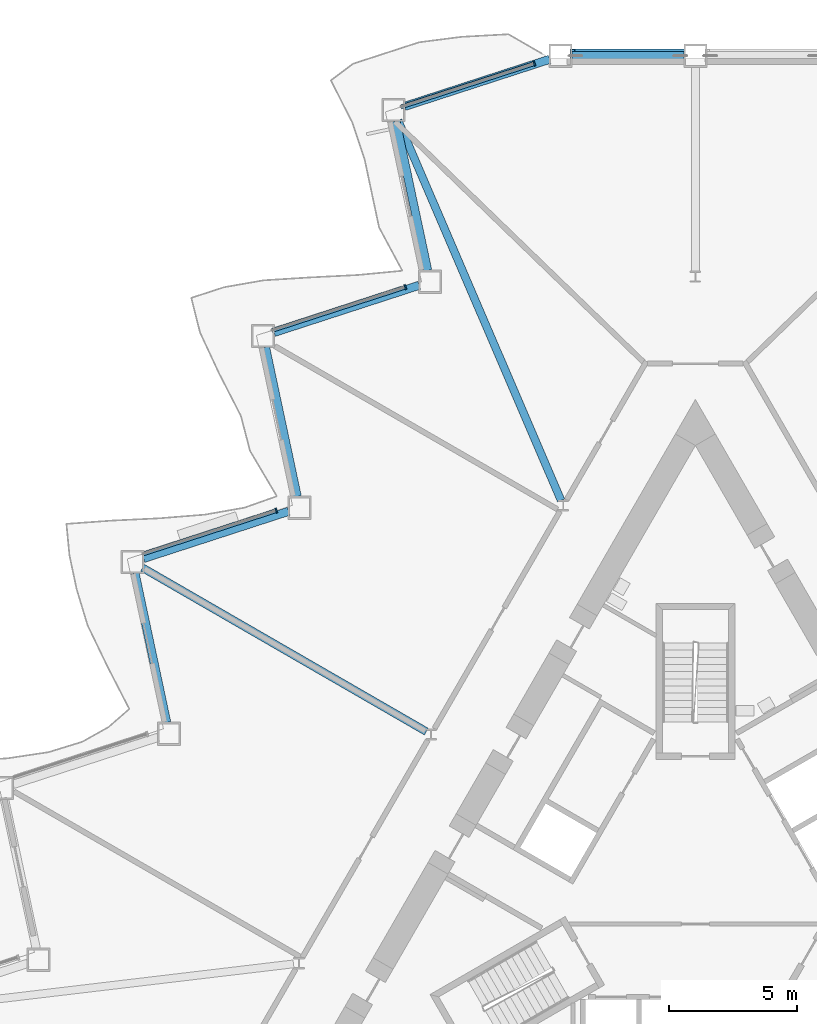
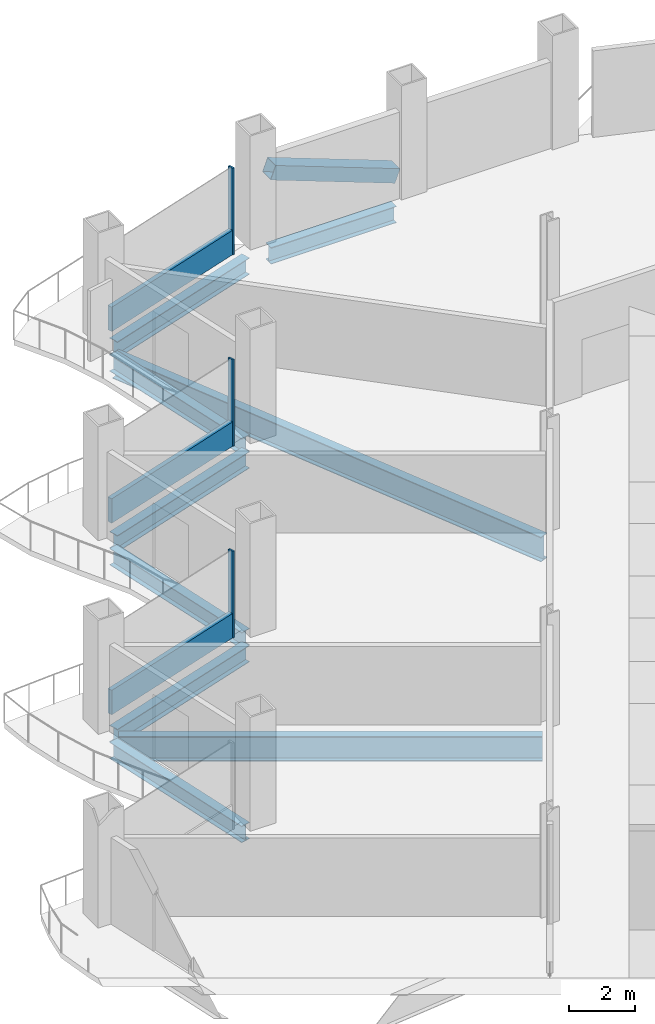
# One storey, part 7 of 21: 9 beams, 7 members, 3 elements without a shape of their own.
"""IFC4 building model written with IfcOpenShell, lengths in metres."""

from ifc_helpers import new_model, si_unit, direction, frame, origin, origin_2d, place, context, subcontext, project, spatial, rectangle, hollow_rectangle, i_section, extrude, material, layer, layer_set, material_profile, profile_set, type_object, element, aggregate, save


model = new_model("IFC4")

# Units and contexts
model_context = context("Model", 3, precision=1e-05, world=origin(), true_north=direction((0.0, 1.0)))
body_context = subcontext(model_context, "Body", "Model", "MODEL_VIEW")
ifc_project = project(units=[si_unit("LENGTHUNIT", "METRE"), si_unit("AREAUNIT", "SQUARE_METRE"), si_unit("VOLUMEUNIT", "CUBIC_METRE"), si_unit("PLANEANGLEUNIT", "RADIAN"), si_unit("MASSUNIT", "GRAM", prefix="KILO")], contexts=[model_context])

# Site, building, storey
site_placement = place(None, origin())
site = spatial("IfcSite", under=ifc_project, at=site_placement, CompositionType="ELEMENT")
building_placement = place(site_placement, origin())
building = spatial("IfcBuilding", under=site, at=building_placement, Name="Cormorant Prow Tower", CompositionType="ELEMENT")
storey_placement = place(building_placement, frame((0.0, 0.0, 129.0)))
storey = spatial("IfcBuildingStorey", under=building, at=storey_placement, Name="L27", CompositionType="ELEMENT", Elevation=129.0)

# Member
ifc_material_1 = material(Name="Structural steel ASTM A500 Gr C", Category="steel")
ifc_material_profile_1 = material_profile(ifc_material_1, hollow_rectangle(XDim=0.508056640625, YDim=0.508056640625, WallThickness=0.014892578125, at=origin_2d()), Name="HSS20x20x5/8")
ifc_profile_set_1 = profile_set([ifc_material_profile_1], Name="Structural steel ASTM A500 Gr C")
member_type_1 = type_object("IfcMemberType", Name="Chamfer brace HSS20x20x5/8", PredefinedType="BRACE", material=ifc_profile_set_1)
member_1_placement = place(storey_placement, frame((-0.4677734375, 32.487060546875, 0.776611328125), z_axis=(-0.935582009332, 0.0, 0.353109478511), x_axis=(0.0, -1.0, 0.0)))
element("IfcMember", 1, at=member_1_placement, inside=storey, type_object=member_type_1, Name="Chamfer brace BR1 at N01 L27", PredefinedType="BRACE", context=body_context, shape_type="SweptSolid", body=[
    extrude(hollow_rectangle(XDim=0.508056640625, YDim=0.508056640625, WallThickness=0.014892578125, at=origin_2d()), origin(), (0.0, 0.0, 1.0), 4.63232421875),
])

# Curtain wall, member
ifc_material_2 = material(Name="Aluminium 6063-T6", Category="aluminium")
ifc_layer = layer(ifc_material_2, 0.199951171875)
ifc_layer_set = layer_set([ifc_layer], Name="Aluminium 6063-T6")
curtain_wall_type = type_object("IfcCurtainWallType", Name="Office unitised curtain wall 200", PredefinedType="NOTDEFINED", material=ifc_layer_set)
curtain_wall_1_placement = place(storey_placement, origin())
curtain_wall_1 = element("IfcCurtainWall", 2, at=curtain_wall_1_placement, inside=storey, type_object=curtain_wall_type, Name="Office curtain wall WNW00", PredefinedType="NOTDEFINED")
ifc_material_3 = material(Name="Aluminium 6063-T6", Category="aluminium")
ifc_material_profile_2 = material_profile(ifc_material_3, rectangle(XDim=0.199951171875, YDim=0.06005859375, at=origin_2d()), Name="Office mullion 60x200")
ifc_profile_set_2 = profile_set([ifc_material_profile_2], Name="Aluminium 6063-T6")
member_type_2 = type_object("IfcMemberType", Name="Office mullion 60x200", PredefinedType="MULLION", material=ifc_profile_set_2)
member_2_placement = place(storey_placement, frame((-6.29443359375, 32.1806640625, 0.0), z_axis=(0.0, 0.0, 1.0), x_axis=(0.309016896042, -0.951056548245, 0.0)))
member_2 = element("IfcMember", 3, at=member_2_placement, type_object=member_type_2, Name="Office mullion WNW00", PredefinedType="MULLION", context=body_context, shape_type="SweptSolid", body=[
    extrude(rectangle(XDim=0.199951171875, YDim=0.06005859375, at=origin_2d()), origin(), (0.0, 0.0, 1.0), 3.18896484375),
])

curtain_wall_2_placement = place(storey_placement, origin())
curtain_wall_2 = element("IfcCurtainWall", 4, at=curtain_wall_2_placement, inside=storey, type_object=curtain_wall_type, Name="Office curtain wall WNW02", PredefinedType="NOTDEFINED")
member_3_placement = place(storey_placement, frame((-11.337890625, 23.4453125, 0.0), z_axis=(0.0, 0.0, 1.0), x_axis=(0.309016939332, -0.95105653418, 0.0)))
member_3 = element("IfcMember", 5, at=member_3_placement, type_object=member_type_2, Name="Office mullion WNW02", PredefinedType="MULLION", context=body_context, shape_type="SweptSolid", body=[
    extrude(rectangle(XDim=0.199951171875, YDim=0.06005859375, at=origin_2d()), origin(), (0.0, 0.0, 1.0), 3.18896484375),
])

curtain_wall_3_placement = place(storey_placement, origin())
curtain_wall_3 = element("IfcCurtainWall", 6, at=curtain_wall_3_placement, inside=storey, type_object=curtain_wall_type, Name="Office curtain wall WNW04", PredefinedType="NOTDEFINED")
member_4_placement = place(storey_placement, frame((-16.38134765625, 14.7099609375, 0.0), z_axis=(0.0, 0.0, 1.0), x_axis=(0.309016939332, -0.95105653418, 0.0)))
member_4 = element("IfcMember", 7, at=member_4_placement, type_object=member_type_2, Name="Office mullion WNW04", PredefinedType="MULLION", context=body_context, shape_type="SweptSolid", body=[
    extrude(rectangle(XDim=0.199951171875, YDim=0.06005859375, at=origin_2d()), origin(), (0.0, 0.0, 1.0), 3.18896484375),
])

# Member
ifc_material_4 = material(Name="Terracotta", Category="masonry")
ifc_material_profile_3 = material_profile(ifc_material_4, rectangle(XDim=0.159912109375, YDim=0.89990234375, at=origin_2d()), Name="Office terracotta spandrel rail 160x900")
ifc_profile_set_3 = profile_set([ifc_material_profile_3], Name="Terracotta")
member_type_3 = type_object("IfcMemberType", Name="Office terracotta spandrel rail 160x900", PredefinedType="USERDEFINED", material=ifc_profile_set_3)
member_5_placement = place(storey_placement, frame((-6.322998046875, 32.17138671875, 0.449951171875), z_axis=(-0.951059392051, -0.30900814357, 0.0), x_axis=(0.30900814357, -0.951059392051, 0.0)))
member_5 = element("IfcMember", 8, at=member_5_placement, type_object=member_type_3, Name="Office spandrel rail WNW00", ObjectType="TRANSOM", PredefinedType="USERDEFINED", context=body_context, shape_type="SweptSolid", body=[
    extrude(rectangle(XDim=0.159912109375, YDim=0.89990234375, at=origin_2d()), origin(), (0.0, 0.0, 1.0), 5.45458984375),
])

aggregate(curtain_wall_1, [member_2, member_5])

member_6_placement = place(storey_placement, frame((-11.366455078125, 23.43603515625, 0.449951171875), z_axis=(-0.951055118029, -0.309021297763, 0.0), x_axis=(0.309021297763, -0.951055118029, 0.0)))
member_6 = element("IfcMember", 9, at=member_6_placement, type_object=member_type_3, Name="Office spandrel rail WNW02", ObjectType="TRANSOM", PredefinedType="USERDEFINED", context=body_context, shape_type="SweptSolid", body=[
    extrude(rectangle(XDim=0.159912109375, YDim=0.89990234375, at=origin_2d()), origin(), (0.0, 0.0, 1.0), 5.45458984375),
])

aggregate(curtain_wall_2, [member_3, member_6])

member_7_placement = place(storey_placement, frame((-16.409912109375, 14.70068359375, 0.449951171875), z_axis=(-0.951055118029, -0.309021297763, 0.0), x_axis=(0.309021297763, -0.951055118029, 0.0)))
member_7 = element("IfcMember", 10, at=member_7_placement, type_object=member_type_3, Name="Office spandrel rail WNW04", ObjectType="TRANSOM", PredefinedType="USERDEFINED", context=body_context, shape_type="SweptSolid", body=[
    extrude(rectangle(XDim=0.159912109375, YDim=0.89990234375, at=origin_2d()), origin(), (0.0, 0.0, 1.0), 5.45458984375),
])

aggregate(curtain_wall_3, [member_4, member_7])

# Beams
ifc_material_5 = material(Name="Structural steel ASTM A992 Gr 50", Category="steel")
ifc_material_profile_4 = material_profile(ifc_material_5, i_section(OverallWidth=0.3046875, OverallDepth=0.914794921875, WebThickness=0.0166015625, FlangeThickness=0.02587890625, at=origin_2d()), Name="W36x160")
ifc_profile_set_4 = profile_set([ifc_material_profile_4], Name="Structural steel ASTM A992 Gr 50")
beam_type_1 = type_object("IfcBeamType", Name="Radial floor beam W36x160", PredefinedType="BEAM", material=ifc_profile_set_4)
beam_1_placement = place(storey_placement, frame((-5.25, 15.107666015625, -0.857421875), z_axis=(-0.394273140268, 0.918993302948, 0.0), x_axis=(-0.918993302948, -0.394273140268, 0.0)))
element("IfcBeam", 11, at=beam_1_placement, inside=storey, type_object=beam_type_1, Name="Radial floor beam FB1 2 L27", PredefinedType="BEAM", context=body_context, shape_type="SweptSolid", body=[
    extrude(i_section(OverallWidth=0.3046875, OverallDepth=0.914794921875, WebThickness=0.0166015625, FlangeThickness=0.02587890625, at=origin_2d()), origin(), (0.0, 0.0, 1.0), 16.153564453125),
])
beam_2_placement = place(storey_placement, frame((-10.516845703125, 6.07177734375, -0.857421875), z_axis=(-0.866021760006, 0.500006311156, 0.0), x_axis=(-0.500006311156, -0.866021760006, 0.0)))
element("IfcBeam", 12, at=beam_2_placement, inside=storey, type_object=beam_type_1, Name="Radial floor beam FB1 3 L27", PredefinedType="BEAM", context=body_context, shape_type="SweptSolid", body=[
    extrude(i_section(OverallWidth=0.3046875, OverallDepth=0.914794921875, WebThickness=0.0166015625, FlangeThickness=0.02587890625, at=origin_2d()), origin(), (0.0, 0.0, 1.0), 12.805419921875),
])
ifc_material_6 = material(Name="Structural steel ASTM A992 Gr 50", Category="steel")
ifc_material_profile_5 = material_profile(ifc_material_6, i_section(OverallWidth=0.32373046875, OverallDepth=0.611083984375, WebThickness=0.0126953125, FlangeThickness=0.01904296875, at=origin_2d()), Name="W24x104")
ifc_profile_set_5 = profile_set([ifc_material_profile_5], Name="Structural steel ASTM A992 Gr 50")
beam_type_2 = type_object("IfcBeamType", Name="Spandrel beam W24x104", PredefinedType="SPANDREL", material=ifc_profile_set_5)
beam_3_placement = place(storey_placement, frame((-0.449951171875, 32.487060546875, -0.70556640625), z_axis=(-1.0, 0.0, 0.0), x_axis=(0.0, -1.0, 0.0)))
element("IfcBeam", 13, at=beam_3_placement, inside=storey, type_object=beam_type_2, Name="Spandrel beam SB1 N01-WNW00 L27", PredefinedType="SPANDREL", context=body_context, shape_type="SweptSolid", body=[
    extrude(i_section(OverallWidth=0.32373046875, OverallDepth=0.611083984375, WebThickness=0.0126953125, FlangeThickness=0.01904296875, at=origin_2d()), origin(), (0.0, 0.0, 1.0), 4.36962890625),
])
beam_4_placement = place(storey_placement, frame((-5.69775390625, 32.347900390625, -0.70556640625), z_axis=(-0.951055430656, -0.309020335608, 0.0), x_axis=(0.309020335608, -0.951055430656, 0.0)))
element("IfcBeam", 14, at=beam_4_placement, inside=storey, type_object=beam_type_2, Name="Spandrel beam SB1 WNW00-WNW01 L27", PredefinedType="SPANDREL", context=body_context, shape_type="SweptSolid", body=[
    extrude(i_section(OverallWidth=0.32373046875, OverallDepth=0.611083984375, WebThickness=0.0126953125, FlangeThickness=0.01904296875, at=origin_2d()), origin(), (0.0, 0.0, 1.0), 5.96240234375),
])
beam_5_placement = place(storey_placement, frame((-11.702880859375, 29.926025390625, -0.70556640625), z_axis=(0.207920947907, -0.978145633033, 0.0), x_axis=(0.978145633033, 0.207920947907, 0.0)))
element("IfcBeam", 15, at=beam_5_placement, inside=storey, type_object=beam_type_2, Name="Spandrel beam SB1 WNW01-WNW02 L27", PredefinedType="SPANDREL", context=body_context, shape_type="SweptSolid", body=[
    extrude(i_section(OverallWidth=0.32373046875, OverallDepth=0.611083984375, WebThickness=0.0126953125, FlangeThickness=0.01904296875, at=origin_2d()), origin(), (0.0, 0.0, 1.0), 5.962646484375),
])
beam_6_placement = place(storey_placement, frame((-10.797607421875, 23.5146484375, -0.70556640625), z_axis=(-0.95104730696, -0.309045336358, 0.0), x_axis=(0.309045336358, -0.95104730696, 0.0)))
element("IfcBeam", 16, at=beam_6_placement, inside=storey, type_object=beam_type_2, Name="Spandrel beam SB1 WNW02-WNW03 L27", PredefinedType="SPANDREL", context=body_context, shape_type="SweptSolid", body=[
    extrude(i_section(OverallWidth=0.32373046875, OverallDepth=0.611083984375, WebThickness=0.0126953125, FlangeThickness=0.01904296875, at=origin_2d()), origin(), (0.0, 0.0, 1.0), 5.962890625),
])
for number, where, z_axis, x_axis, name in (
    (17, (-16.802734375, 21.0927734375, -0.70556640625), (0.207920947907, -0.978145633033, 0.0), (0.978145633033, 0.207920947907, 0.0), "Spandrel beam SB1 WNW03-WNW04 L27"),
    (18, (-15.8974609375, 14.68115234375, -0.70556640625), (-0.951059340519, -0.309008302174, 0.0), (0.309008302174, -0.951059340519, 0.0), "Spandrel beam SB1 WNW04-WNW05 L27"),
):
    element("IfcBeam", number, at=place(storey_placement, frame(where, z_axis=z_axis, x_axis=x_axis)), inside=storey, type_object=beam_type_2, Name=name, PredefinedType="SPANDREL", context=body_context, shape_type="SweptSolid", body=[
        extrude(i_section(OverallWidth=0.32373046875, OverallDepth=0.611083984375, WebThickness=0.0126953125, FlangeThickness=0.01904296875, at=origin_2d()), origin(), (0.0, 0.0, 1.0), 5.962646484375),
    ])
beam_7_placement = place(storey_placement, frame((-21.90283203125, 12.259521484375, -0.70556640625), z_axis=(0.207912620873, -0.978147403044, 0.0), x_axis=(0.978147403044, 0.207912620873, 0.0)))
element("IfcBeam", 19, at=beam_7_placement, inside=storey, type_object=beam_type_2, Name="Spandrel beam SB1 WNW05-WNW06 L27", PredefinedType="SPANDREL", context=body_context, shape_type="SweptSolid", body=[
    extrude(i_section(OverallWidth=0.32373046875, OverallDepth=0.611083984375, WebThickness=0.0126953125, FlangeThickness=0.01904296875, at=origin_2d()), origin(), (0.0, 0.0, 1.0), 5.962890625),
])

save(model, "model.ifc")
